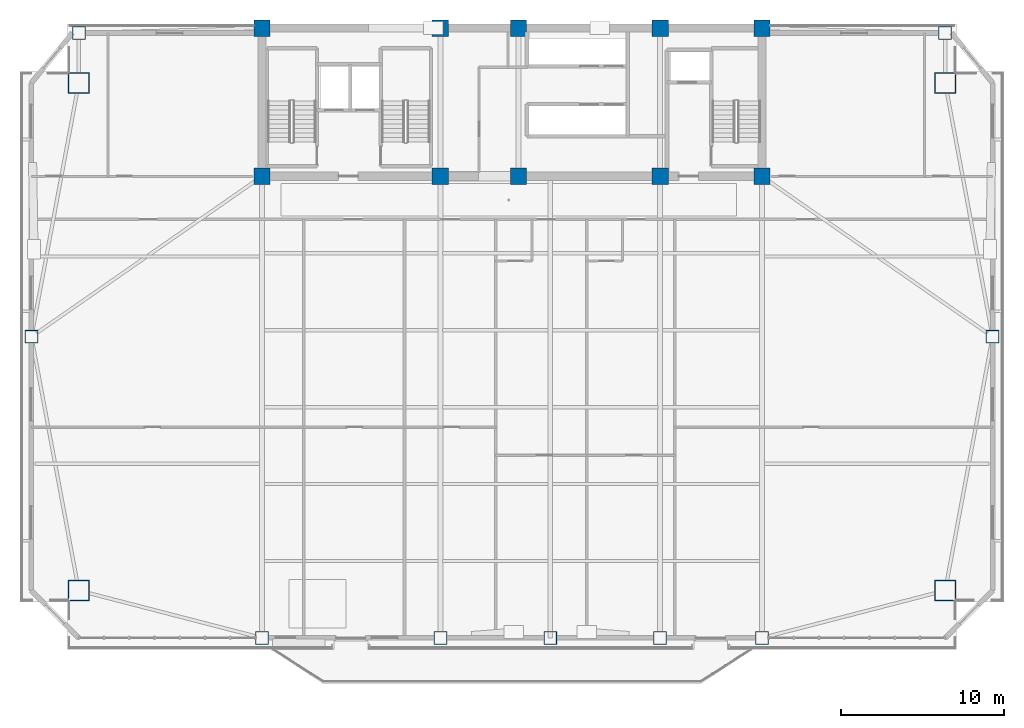
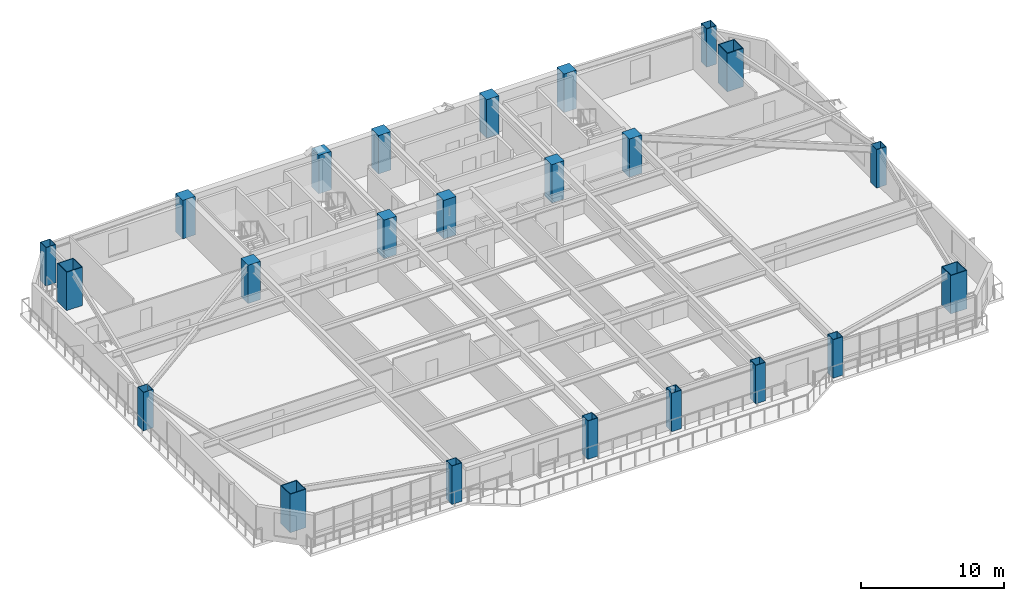
# One storey, part 1 of 16: 23 columns.
"""IFC4 building model written with IfcOpenShell, lengths in metres."""

from ifc_helpers import new_model, si_unit, direction, frame, origin, origin_2d, place, context, subcontext, project, spatial, rectangle, hollow_rectangle, extrude, source, transform, mapped, material, material_profile, profile_set, type_object, element, save


model = new_model("IFC4")

# Units and contexts
model_context = context("Model", 3, precision=1e-05, world=origin(), true_north=direction((0.0, 1.0)))
body_context = subcontext(model_context, "Body", "Model", "MODEL_VIEW")
ifc_project = project(units=[si_unit("LENGTHUNIT", "METRE"), si_unit("AREAUNIT", "SQUARE_METRE"), si_unit("VOLUMEUNIT", "CUBIC_METRE"), si_unit("PLANEANGLEUNIT", "RADIAN"), si_unit("MASSUNIT", "GRAM", prefix="KILO")], contexts=[model_context])

# Site, building, storey
site_placement = place(None, origin())
site = spatial("IfcSite", under=ifc_project, at=site_placement, CompositionType="ELEMENT")
building_placement = place(site_placement, origin())
building = spatial("IfcBuilding", under=site, at=building_placement, Name="Giltprow Tower", CompositionType="ELEMENT")
storey_placement = place(building_placement, frame((0.0, 0.0, 163.199951171875)))
storey = spatial("IfcBuildingStorey", under=building, at=storey_placement, Name="L40", CompositionType="ELEMENT", Elevation=163.199951171875)

# Columns
ifc_material_1 = material(Name="Structural steel Q420GJC", Category="steel")
ifc_material_profile_1 = material_profile(ifc_material_1, hollow_rectangle(XDim=1.300048828125, YDim=1.300048828125, WallThickness=0.06005859375, at=origin_2d()), Name="BOX 1300x1300x60")
ifc_profile_set_1 = profile_set([ifc_material_profile_1], Name="Structural steel Q420GJC")
column_type_1 = type_object("IfcColumnType", Name="COL-BOX-1300x1300x60", PredefinedType="COLUMN", material=ifc_profile_set_1)
shared_shape_1 = source(origin(), body_context, "Body", "SweptSolid", [
    extrude(hollow_rectangle(XDim=1.300048828125, YDim=1.300048828125, WallThickness=0.06005859375, at=origin_2d()), origin(), (0.0, 0.0, 1.0), 3.27001953125),
])
for number, where, z_axis, x_axis, name in (
    (1, (8.596923828125, 12.010986328125, 0.0), (0.0, 0.0, 1.0), (1.0, 0.0, 0.0), "L40 Mega-Column MC_SW"),
    (2, (61.802978515625, 12.010986328125, 0.0), (0.0, 0.0, 1.0), (1.0, 0.0, 0.0), "L40 Mega-Column MC_SE"),
    (3, (8.596923828125, 43.18701171875, 0.0), (0.0, 0.0, 1.0), (1.0, 0.0, 0.0), "L40 Mega-Column MC_NW"),
    (4, (61.802978515625, 43.18701171875, 0.0), (0.0, 0.0, 1.0), (1.0, 0.0, 0.0), "L40 Mega-Column MC_NE"),
):
    element("IfcColumn", number, at=place(storey_placement, frame(where, z_axis=z_axis, x_axis=x_axis)), inside=storey, type_object=column_type_1, Name=name, PredefinedType="COLUMN", context=body_context, shape_type="MappedRepresentation", body=[
        mapped(shared_shape_1, transform((0.0, 0.0, 0.0), x_axis=(1.0, 0.0, 0.0), y_axis=(0.0, 1.0, 0.0), z_axis=(0.0, 0.0, 1.0), scale=1.0)),
    ])
ifc_material_profile_2 = material_profile(ifc_material_1, hollow_rectangle(XDim=0.800048828125, YDim=0.800048828125, WallThickness=0.035888671875, at=origin_2d()), Name="BOX 800x800x36")
ifc_profile_set_2 = profile_set([ifc_material_profile_2], Name="Structural steel Q420GJC")
column_type_2 = type_object("IfcColumnType", Name="COL-BOX-800x800x36", PredefinedType="COLUMN", material=ifc_profile_set_2)
shared_shape_2 = source(origin(), body_context, "Body", "SweptSolid", [
    extrude(hollow_rectangle(XDim=0.800048828125, YDim=0.800048828125, WallThickness=0.035888671875, at=origin_2d()), origin(), (0.0, 0.0, 1.0), 3.27001953125),
])
for number, where, z_axis, x_axis, name in (
    (5, (19.85009765625, 9.097900390625, 0.0), (0.0, 0.0, 1.0), (1.0, 0.0, 0.0), "L40 Perimeter Column S1"),
    (6, (30.800048828125, 9.097900390625, 0.0), (0.0, 0.0, 1.0), (1.0, 0.0, 0.0), "L40 Perimeter Column S2"),
    (7, (37.550048828125, 9.097900390625, 0.0), (0.0, 0.0, 1.0), (1.0, 0.0, 0.0), "L40 Perimeter Column S_MID"),
    (8, (44.300048828125, 9.097900390625, 0.0), (0.0, 0.0, 1.0), (1.0, 0.0, 0.0), "L40 Perimeter Column S3"),
    (9, (50.550048828125, 9.097900390625, 0.0), (0.0, 0.0, 1.0), (1.0, 0.0, 0.0), "L40 Perimeter Column S4"),
    (10, (5.68408203125, 27.59912109375, 0.0), (0.0, 0.0, 1.0), (1.0, 0.0, 0.0), "L40 Perimeter Column W_MID"),
    (11, (64.716064453125, 27.59912109375, 0.0), (0.0, 0.0, 1.0), (1.0, 0.0, 0.0), "L40 Perimeter Column E_MID"),
    (12, (8.596923828125, 46.25, 0.0), (0.0, 0.0, 1.0), (1.0, 0.0, 0.0), "L40 Perimeter Column N_W"),
    (13, (61.802978515625, 46.25, 0.0), (0.0, 0.0, 1.0), (1.0, 0.0, 0.0), "L40 Perimeter Column N_E"),
):
    element("IfcColumn", number, at=place(storey_placement, frame(where, z_axis=z_axis, x_axis=x_axis)), inside=storey, type_object=column_type_2, Name=name, PredefinedType="COLUMN", context=body_context, shape_type="MappedRepresentation", body=[
        mapped(shared_shape_2, transform((0.0, 0.0, 0.0), x_axis=(1.0, 0.0, 0.0), y_axis=(0.0, 1.0, 0.0), z_axis=(0.0, 0.0, 1.0), scale=1.0)),
    ])
ifc_material_2 = material(Name="Concrete C50", Category="concrete")
ifc_material_profile_3 = material_profile(ifc_material_2, rectangle(XDim=1.0, YDim=1.0, at=origin_2d()), Name="RC 1000x1000")
ifc_profile_set_3 = profile_set([ifc_material_profile_3], Name="Concrete C50")
column_type_3 = type_object("IfcColumnType", Name="PIL-RC-1000-C50", PredefinedType="PILASTER", material=ifc_profile_set_3)
shared_shape_3 = source(origin(), body_context, "Body", "SweptSolid", [
    extrude(rectangle(XDim=1.0, YDim=1.0, at=origin_2d()), origin(), (0.0, 0.0, 1.0), 3.27001953125),
])
for number, where, z_axis, x_axis, name in (
    (14, (19.85009765625, 37.449951171875, 0.0), (0.0, 0.0, 1.0), (1.0, 0.0, 0.0), "L40 Core Boundary Pilaster 1-1"),
    (15, (19.85009765625, 46.550048828125, 0.0), (0.0, 0.0, 1.0), (1.0, 0.0, 0.0), "L40 Core Boundary Pilaster 1-2"),
    (16, (30.800048828125, 37.449951171875, 0.0), (0.0, 0.0, 1.0), (1.0, 0.0, 0.0), "L40 Core Boundary Pilaster 2-1"),
    (17, (30.800048828125, 46.550048828125, 0.0), (0.0, 0.0, 1.0), (1.0, 0.0, 0.0), "L40 Core Boundary Pilaster 2-2"),
    (18, (35.60009765625, 37.449951171875, 0.0), (0.0, 0.0, 1.0), (1.0, 0.0, 0.0), "L40 Core Boundary Pilaster 3-1"),
    (19, (35.60009765625, 46.550048828125, 0.0), (0.0, 0.0, 1.0), (1.0, 0.0, 0.0), "L40 Core Boundary Pilaster 3-2"),
    (20, (44.300048828125, 37.449951171875, 0.0), (0.0, 0.0, 1.0), (1.0, 0.0, 0.0), "L40 Core Boundary Pilaster 4-1"),
    (21, (44.300048828125, 46.550048828125, 0.0), (0.0, 0.0, 1.0), (1.0, 0.0, 0.0), "L40 Core Boundary Pilaster 4-2"),
    (22, (50.550048828125, 37.449951171875, 0.0), (0.0, 0.0, 1.0), (1.0, 0.0, 0.0), "L40 Core Boundary Pilaster 5-1"),
    (23, (50.550048828125, 46.550048828125, 0.0), (0.0, 0.0, 1.0), (1.0, 0.0, 0.0), "L40 Core Boundary Pilaster 5-2"),
):
    element("IfcColumn", number, at=place(storey_placement, frame(where, z_axis=z_axis, x_axis=x_axis)), inside=storey, type_object=column_type_3, Name=name, PredefinedType="PILASTER", context=body_context, shape_type="MappedRepresentation", body=[
        mapped(shared_shape_3, transform((0.0, 0.0, 0.0), x_axis=(1.0, 0.0, 0.0), y_axis=(0.0, 1.0, 0.0), z_axis=(0.0, 0.0, 1.0), scale=1.0)),
    ])

save(model, "model.ifc")
